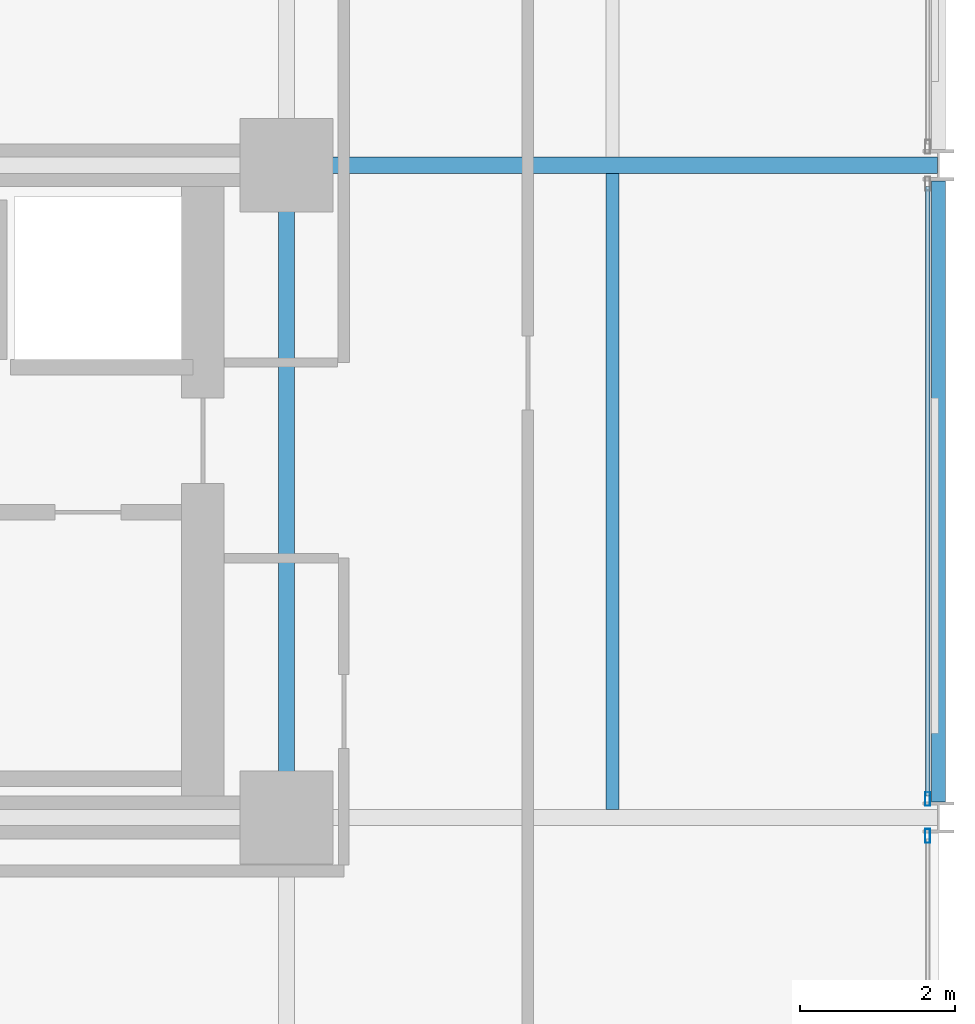
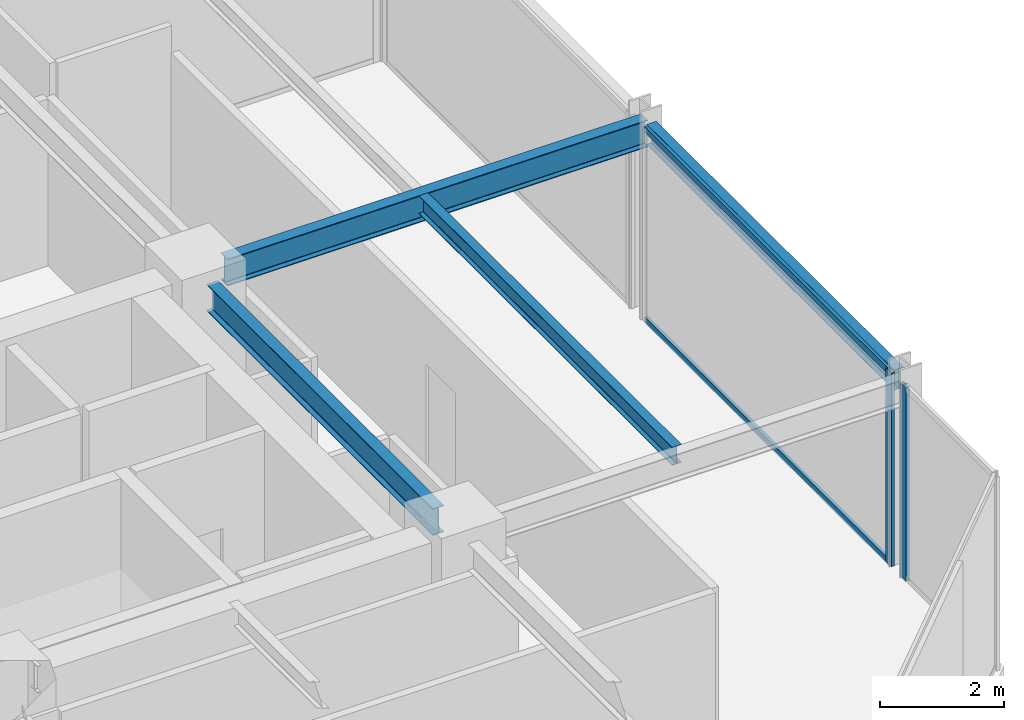
# One storey, part 14 of 29: 4 beams, 4 members, 2 elements without a shape of their own.
"""IFC4 building model written with IfcOpenShell, lengths in metres."""

import ifcopenshell
import ifcopenshell.guid

model = None  # the IFC model being written
_history = None  # IfcOwnerHistory: only IFC2X3 demands one
_inside = {}  # id of a spatial element -> (the spatial element, [elements in it])
_under = {}  # id of a project, library or spatial element -> (it, [spatial elements below it])
_declared = {}  # id of a project -> (the project, [libraries it declares])
_typed = {}  # id of a type object -> (the type object, [elements of that type])
_made_of = {}  # id of a material, layer set ... -> (it, [elements and type objects made of it])


def new_model(schema):
    """Start an empty IFC model of exactly this schema.

    Asked for "IFC4X3", IfcOpenShell would pick the latest addendum, in which some entities
    have other attributes; the version numbers below select the first issue.
    IFC2X3 requires an IfcOwnerHistory on every rooted entity: one is made here for all.
    """
    global model, _history
    if schema == "IFC4X3":
        model = ifcopenshell.file(schema_version=(4, 3, 0, 0))
    else:
        model = ifcopenshell.file(schema=schema)
    _inside.clear()
    _under.clear()
    _declared.clear()
    _typed.clear()
    _made_of.clear()
    _history = None
    if model.schema == "IFC2X3":
        org = make("IfcOrganization", Name="unknown")
        user = make(
            "IfcPersonAndOrganization",
            ThePerson=make("IfcPerson", FamilyName="unknown"),
            TheOrganization=org,
        )
        app = make(
            "IfcApplication",
            ApplicationDeveloper=org,
            Version="unknown",
            ApplicationFullName="unknown",
            ApplicationIdentifier="unknown",
        )
        _history = make(
            "IfcOwnerHistory",
            OwningUser=user,
            OwningApplication=app,
            ChangeAction="ADDED",
            CreationDate=0,
        )
    return model


def make(cls, **values):
    """One entity of the class cls with the attributes given. An attribute that is None is left unset."""
    return model.create_entity(
        cls, **{name: value for name, value in values.items() if value is not None}
    )


def rooted(cls, **values):
    """An entity with a GlobalId (a new one), such as an element, a storey or a relation."""
    return make(cls, GlobalId=ifcopenshell.guid.new(), OwnerHistory=_history, **values)


def si_unit(unit_type, name, prefix=None):
    """IfcSIUnit, for example si_unit("LENGTHUNIT", "METRE", prefix="MILLI")."""
    return make("IfcSIUnit", UnitType=unit_type, Prefix=prefix, Name=name)


def assignment(units):
    """IfcUnitAssignment: the units of a project."""
    return None if units is None else make("IfcUnitAssignment", Units=units)


def point(xyz):
    """IfcCartesianPoint."""
    return None if xyz is None else make("IfcCartesianPoint", Coordinates=xyz)


def direction(xyz):
    """IfcDirection."""
    return None if xyz is None else make("IfcDirection", DirectionRatios=xyz)


def frame(location, z_axis=None, x_axis=None):
    """IfcAxis2Placement3D, a coordinate frame: its origin and axes. An axis left out is left unset."""
    return make(
        "IfcAxis2Placement3D",
        Location=point(location),
        Axis=direction(z_axis),
        RefDirection=direction(x_axis),
    )


def frame_2d(location, x_axis=None):
    """IfcAxis2Placement2D, a coordinate frame in the plane: its origin and x axis."""
    return make(
        "IfcAxis2Placement2D", Location=point(location), RefDirection=direction(x_axis)
    )


def origin():
    """The frame at (0, 0, 0) with its axes left unset."""
    return frame((0.0, 0.0, 0.0))


def origin_2d():
    """The frame at (0, 0) in the plane with its x axis left unset."""
    return frame_2d((0.0, 0.0))


def place(relative_to, where):
    """IfcLocalPlacement: puts the frame where relative to a parent placement (None: the world)."""
    return make(
        "IfcLocalPlacement", PlacementRelTo=relative_to, RelativePlacement=where
    )


def context(
    kind, dimensions, precision=None, world=None, true_north=None, identifier=None
):
    """IfcGeometricRepresentationContext, for example the 3D "Model" context."""
    return make(
        "IfcGeometricRepresentationContext",
        ContextIdentifier=identifier,
        ContextType=kind,
        CoordinateSpaceDimension=dimensions,
        Precision=precision,
        WorldCoordinateSystem=world,
        TrueNorth=true_north,
    )


def subcontext(parent, identifier, kind, view, scale=None):
    """IfcGeometricRepresentationSubContext, for example "Body" below "Model"."""
    return make(
        "IfcGeometricRepresentationSubContext",
        ContextIdentifier=identifier,
        ContextType=kind,
        ParentContext=parent,
        TargetScale=scale,
        TargetView=view,
    )


def project(units=None, contexts=None):
    """IfcProject with its units and contexts."""
    return rooted(
        "IfcProject",
        Name="project",
        RepresentationContexts=contexts,
        UnitsInContext=assignment(units),
    )


def spatial(cls, under=None, at=None, **own):
    """A site, building, storey or space (cls), placed at a placement, below another one or the project."""
    s = rooted(cls, ObjectPlacement=at, **own)
    if under is not None:
        _under.setdefault(under.id(), (under, []))[1].append(s)
    return s


def profile(cls, at=None, kind="AREA", **sizes):
    """A parametric profile (cls). Its sizes go by their IFC names, for example OverallWidth=200.0."""
    return make(cls, ProfileType=kind, Position=at, **sizes)


def hollow_rectangle(**sizes):
    """IfcRectangleHollowProfileDef."""
    return profile("IfcRectangleHollowProfileDef", **sizes)


def i_section(**sizes):
    """IfcIShapeProfileDef."""
    return profile("IfcIShapeProfileDef", **sizes)


def extrude(swept, where, along, depth):
    """IfcExtrudedAreaSolid: the profile swept, set in the frame where, extruded along a direction by depth."""
    return make(
        "IfcExtrudedAreaSolid",
        SweptArea=swept,
        Position=where,
        ExtrudedDirection=direction(along),
        Depth=depth,
    )


def shape(context_of_items, identifier, shape_type, items):
    """IfcShapeRepresentation: the items that make up one representation, for example the "Body"."""
    return make(
        "IfcShapeRepresentation",
        ContextOfItems=context_of_items,
        RepresentationIdentifier=identifier,
        RepresentationType=shape_type,
        Items=items,
    )


def material(Name=None, Category=None):
    """IfcMaterial."""
    return make("IfcMaterial", Name=Name, Category=Category)


def layer(
    of_material, thickness, ventilated=None, Name=None, Category=None, Priority=None
):
    """IfcMaterialLayer: one layer of a wall or slab, of a material (None: an air gap)."""
    return make(
        "IfcMaterialLayer",
        Material=of_material,
        LayerThickness=thickness,
        IsVentilated=ventilated,
        Name=Name,
        Category=Category,
        Priority=Priority,
    )


def layer_set(layers, Name=None):
    """IfcMaterialLayerSet."""
    return make("IfcMaterialLayerSet", MaterialLayers=layers, LayerSetName=Name)


def material_profile(
    of_material, cross_section, Name=None, Category=None, Priority=None
):
    """IfcMaterialProfile: a cross section and its material."""
    return make(
        "IfcMaterialProfile",
        Name=Name,
        Material=of_material,
        Profile=cross_section,
        Priority=Priority,
        Category=Category,
    )


def profile_set(profiles, Name=None, composite=None):
    """IfcMaterialProfileSet."""
    return make(
        "IfcMaterialProfileSet",
        Name=Name,
        MaterialProfiles=profiles,
        CompositeProfile=composite,
    )


def made_of(thing, what):
    """Note that an element or type object is made of a material, layer set ...; save() writes the relation."""
    if what is not None:
        _made_of.setdefault(what.id(), (what, []))[1].append(thing)
    return thing


def type_object(cls, material=None, **own):
    """A type object (cls), such as IfcWallType, which elements share."""
    return made_of(rooted(cls, **own), material)


def element(
    cls,
    number,
    at=None,
    inside=None,
    cuts=None,
    type_object=None,
    material=None,
    context=None,
    identifier="Body",
    shape_type=None,
    held_by="IfcProductDefinitionShape",
    body=None,
    shapes=None,
    **own,
):
    """One element of the class cls, such as IfcWall. Its Tag is "e" and its number.

    at: its placement. inside: the storey or other place that contains it. cuts: it is an
    opening in that element (IfcRelVoidsElement). A single representation is given by context,
    identifier, shape_type and body (its items); several are given by shapes. held_by: the class
    of the entity that holds the representations. save() writes the other relations.
    """
    e = rooted(cls, Tag="e%d" % number, ObjectPlacement=at, **own)
    if body is not None:
        shapes = [shape(context, identifier, shape_type, body)]
    if shapes is not None:
        e.Representation = make(held_by, Representations=shapes)
    if inside is not None:
        _inside.setdefault(inside.id(), (inside, []))[1].append(e)
    if cuts is not None:
        rooted(
            "IfcRelVoidsElement", RelatingBuildingElement=cuts, RelatedOpeningElement=e
        )
    if type_object is not None:
        _typed.setdefault(type_object.id(), (type_object, []))[1].append(e)
    return made_of(e, material)


def aggregate(whole, parts):
    """IfcRelAggregates: a whole, such as a stair, and the parts it consists of."""
    return rooted("IfcRelAggregates", RelatingObject=whole, RelatedObjects=parts)


def save(model, path):
    """Write the relations noted so far, then the file.

    IfcRelAggregates (storeys below a building ...), IfcRelContainedInSpatialStructure (elements
    in a storey), IfcRelDefinesByType, IfcRelAssociatesMaterial and IfcRelDeclares: one each for
    every whole, place, type object, material and project.
    """
    for whole, parts in _under.values():
        aggregate(whole, parts)
    for where, things in _inside.values():
        rooted(
            "IfcRelContainedInSpatialStructure",
            RelatedElements=things,
            RelatingStructure=where,
        )
    for kind, things in _typed.values():
        rooted("IfcRelDefinesByType", RelatedObjects=things, RelatingType=kind)
    for what, things in _made_of.values():
        rooted("IfcRelAssociatesMaterial", RelatedObjects=things, RelatingMaterial=what)
    for by, libraries in _declared.values():
        rooted("IfcRelDeclares", RelatingContext=by, RelatedDefinitions=libraries)
    model.write(path)


model = new_model("IFC4")

# Units and contexts
model_context = context("Model", 3, precision=1e-05, world=origin(), true_north=direction((0.0, 1.0)))
body_context = subcontext(model_context, "Body", "Model", "MODEL_VIEW")
ifc_project = project(units=[si_unit("LENGTHUNIT", "METRE"), si_unit("AREAUNIT", "SQUARE_METRE"), si_unit("VOLUMEUNIT", "CUBIC_METRE"), si_unit("PLANEANGLEUNIT", "RADIAN"), si_unit("MASSUNIT", "GRAM", prefix="KILO")], contexts=[model_context])

# Site, building, storey
site_placement = place(None, origin())
site = spatial("IfcSite", under=ifc_project, at=site_placement, CompositionType="ELEMENT")
building_placement = place(site_placement, origin())
building = spatial("IfcBuilding", under=site, at=building_placement, Name="Nerrivon Quay Data Exchange", CompositionType="ELEMENT")
storey_placement = place(building_placement, frame((0.0, 0.0, 125.39990234375)))
storey = spatial("IfcBuildingStorey", under=building, at=storey_placement, Name="L29", CompositionType="ELEMENT", Elevation=125.39990234375)

# Beams
ifc_material_1 = material(Name="Steel Grade 350", Category="steel")
ifc_material_profile_1 = material_profile(ifc_material_1, i_section(OverallWidth=0.208984375, OverallDepth=0.532958984375, WebThickness=0.01025390625, FlangeThickness=0.015625, FilletRadius=0.013916015625, at=origin_2d()), Name="530UB92.4")
ifc_profile_set_1 = profile_set([ifc_material_profile_1], Name="Steel Grade 350")
beam_type_1 = type_object("IfcBeamType", Name="BM-G3-530UB92", PredefinedType="BEAM", material=ifc_profile_set_1)
beam_1_placement = place(storey_placement, frame((34.139892578125, 16.800048828125, 3.55859375), z_axis=(1.0, 0.0, 0.0), x_axis=(0.0, 1.0, 0.0)))
element("IfcBeam", 1, at=beam_1_placement, inside=storey, type_object=beam_type_1, Name="L29 EW Girder Y=16.8 (33.6..42.0)", PredefinedType="BEAM", context=body_context, shape_type="SweptSolid", body=[
    extrude(i_section(OverallWidth=0.208984375, OverallDepth=0.532958984375, WebThickness=0.01025390625, FlangeThickness=0.015625, FilletRadius=0.013916015625, at=origin_2d()), origin(), (0.0, 0.0, 1.0), 7.84765625),
])
ifc_material_profile_2 = material_profile(ifc_material_1, i_section(OverallWidth=0.208984375, OverallDepth=0.528076171875, WebThickness=0.009521484375, FlangeThickness=0.01318359375, FilletRadius=0.013916015625, at=origin_2d()), Name="530UB82.0")
ifc_profile_set_2 = profile_set([ifc_material_profile_2], Name="Steel Grade 350")
beam_type_2 = type_object("IfcBeamType", Name="BM-G4-530UB82", PredefinedType="BEAM", material=ifc_profile_set_2)
beam_2_placement = place(storey_placement, frame((33.60009765625, 8.93994140625, 3.56103515625), z_axis=(0.0, 1.0, 0.0), x_axis=(-1.0, 0.0, 0.0)))
element("IfcBeam", 2, at=beam_2_placement, inside=storey, type_object=beam_type_2, Name="L29 NS Girder X=33.6 (8.4..16.8)", PredefinedType="BEAM", context=body_context, shape_type="SweptSolid", body=[
    extrude(i_section(OverallWidth=0.208984375, OverallDepth=0.528076171875, WebThickness=0.009521484375, FlangeThickness=0.01318359375, FilletRadius=0.013916015625, at=origin_2d()), origin(), (0.0, 0.0, 1.0), 7.320068359375),
])
ifc_material_profile_3 = material_profile(ifc_material_1, i_section(OverallWidth=0.1708984375, OverallDepth=0.35595703125, WebThickness=0.00732421875, FlangeThickness=0.011474609375, FilletRadius=0.011474609375, at=origin_2d()), Name="360UB50.7")
ifc_profile_set_3 = profile_set([ifc_material_profile_3], Name="Steel Grade 350")
beam_type_3 = type_object("IfcBeamType", Name="BM-J4-360UB51", PredefinedType="JOIST", material=ifc_profile_set_3)
beam_3_placement = place(storey_placement, frame((37.800048828125, 8.50439453125, 3.647216796875), z_axis=(0.0, 1.0, 0.0), x_axis=(-1.0, 0.0, 0.0)))
element("IfcBeam", 3, at=beam_3_placement, inside=storey, type_object=beam_type_3, Name="L29 Secondary Joist X=37.8 (8.4..16.8)", PredefinedType="JOIST", context=body_context, shape_type="SweptSolid", body=[
    extrude(i_section(OverallWidth=0.1708984375, OverallDepth=0.35595703125, WebThickness=0.00732421875, FlangeThickness=0.011474609375, FilletRadius=0.011474609375, at=origin_2d()), origin(), (0.0, 0.0, 1.0), 8.191162109375),
])
ifc_material_profile_4 = material_profile(ifc_material_1, i_section(OverallWidth=0.177978515625, OverallDepth=0.403076171875, WebThickness=0.007568359375, FlangeThickness=0.010986328125, FilletRadius=0.011474609375, at=origin_2d()), Name="410UB53.7")
ifc_profile_set_4 = profile_set([ifc_material_profile_4], Name="Steel Grade 350")
beam_type_4 = type_object("IfcBeamType", Name="BM-SP2-410UB54", PredefinedType="SPANDREL", material=ifc_profile_set_4)
beam_4_placement = place(storey_placement, frame((42.0, 8.60009765625, 3.62353515625), z_axis=(0.0, 1.0, 0.0), x_axis=(-1.0, 0.0, 0.0)))
element("IfcBeam", 4, at=beam_4_placement, inside=storey, type_object=beam_type_4, Name="L29 NS Girder X=42.0 (8.4..16.8)", PredefinedType="SPANDREL", context=body_context, shape_type="SweptSolid", body=[
    extrude(i_section(OverallWidth=0.177978515625, OverallDepth=0.403076171875, WebThickness=0.007568359375, FlangeThickness=0.010986328125, FilletRadius=0.011474609375, at=origin_2d()), origin(), (0.0, 0.0, 1.0), 8.0),
])

# Curtain wall, member
ifc_material_2 = material(Name="Anodised aluminium 6063-T6", Category="aluminium")
ifc_layer = layer(ifc_material_2, 0.2099609375)
ifc_layer_set = layer_set([ifc_layer], Name="Anodised aluminium 6063-T6")
curtain_wall_type = type_object("IfcCurtainWallType", Name="CW-SYS-02", PredefinedType="NOTDEFINED", material=ifc_layer_set)
curtain_wall_1_placement = place(storey_placement, origin())
curtain_wall_1 = element("IfcCurtainWall", 5, at=curtain_wall_1_placement, inside=storey, type_object=curtain_wall_type, Name="L29 Unitised Curtain Wall 29", PredefinedType="NOTDEFINED")
ifc_material_profile_5 = material_profile(ifc_material_2, hollow_rectangle(XDim=0.06494140625, YDim=0.179931640625, WallThickness=0.00341796875, at=origin_2d()), Name="ALU-MULL-180x65")
ifc_profile_set_5 = profile_set([ifc_material_profile_5], Name="Anodised aluminium 6063-T6")
member_type_1 = type_object("IfcMemberType", Name="CWM-180x65", PredefinedType="MULLION", material=ifc_profile_set_5)
member_1_placement = place(storey_placement, frame((41.860107421875, 8.637451171875, 0.0), z_axis=(0.0, 0.0, 1.0), x_axis=(1.0, 0.0, 0.0)))
member_1 = element("IfcMember", 6, at=member_1_placement, type_object=member_type_1, Name="CW02 mullion 2", PredefinedType="MULLION", context=body_context, shape_type="SweptSolid", body=[
    extrude(hollow_rectangle(XDim=0.06494140625, YDim=0.179931640625, WallThickness=0.00341796875, at=origin_2d()), origin(), (0.0, 0.0, 1.0), 3.8251953125),
])

curtain_wall_2_placement = place(storey_placement, origin())
curtain_wall_2 = element("IfcCurtainWall", 7, at=curtain_wall_2_placement, inside=storey, type_object=curtain_wall_type, Name="L29 Unitised Curtain Wall 30", PredefinedType="NOTDEFINED")
member_2_placement = place(storey_placement, frame((41.860107421875, 8.16259765625, 0.0), z_axis=(0.0, 0.0, 1.0), x_axis=(1.0, 0.0, 0.0)))
member_2 = element("IfcMember", 8, at=member_2_placement, type_object=member_type_1, Name="CW02 mullion 1", PredefinedType="MULLION", context=body_context, shape_type="SweptSolid", body=[
    extrude(hollow_rectangle(XDim=0.06494140625, YDim=0.179931640625, WallThickness=0.00341796875, at=origin_2d()), origin(), (0.0, 0.0, 1.0), 3.8251953125),
])
aggregate(curtain_wall_2, [member_2])

# Member
ifc_material_profile_6 = material_profile(ifc_material_2, hollow_rectangle(XDim=0.06005859375, YDim=0.1201171875, WallThickness=0.003173828125, at=origin_2d()), Name="ALU-TRAN-120x60")
ifc_profile_set_6 = profile_set([ifc_material_profile_6], Name="Anodised aluminium 6063-T6")
member_type_2 = type_object("IfcMemberType", Name="CWT-120x60", PredefinedType="USERDEFINED", material=ifc_profile_set_6)
member_3_placement = place(storey_placement, frame((41.860107421875, 16.52490234375, 0.03271484375), z_axis=(0.0, -1.0, 0.0), x_axis=(1.0, 0.0, 0.0)))
member_3 = element("IfcMember", 9, at=member_3_placement, type_object=member_type_2, Name="CW02 transom 1.1", ObjectType="TRANSOM", PredefinedType="USERDEFINED", context=body_context, shape_type="SweptSolid", body=[
    extrude(hollow_rectangle(XDim=0.06005859375, YDim=0.1201171875, WallThickness=0.003173828125, at=origin_2d()), origin(), (0.0, 0.0, 1.0), 7.849853515625),
])

member_4_placement = place(storey_placement, frame((41.860107421875, 16.52490234375, 3.79248046875), z_axis=(0.0, -1.0, 0.0), x_axis=(1.0, 0.0, 0.0)))
member_4 = element("IfcMember", 10, at=member_4_placement, type_object=member_type_2, Name="CW02 transom 1.2", ObjectType="TRANSOM", PredefinedType="USERDEFINED", context=body_context, shape_type="SweptSolid", body=[
    extrude(hollow_rectangle(XDim=0.06005859375, YDim=0.1201171875, WallThickness=0.003173828125, at=origin_2d()), origin(), (0.0, 0.0, 1.0), 7.849853515625),
])

aggregate(curtain_wall_1, [member_1, member_3, member_4])

save(model, "model.ifc")
